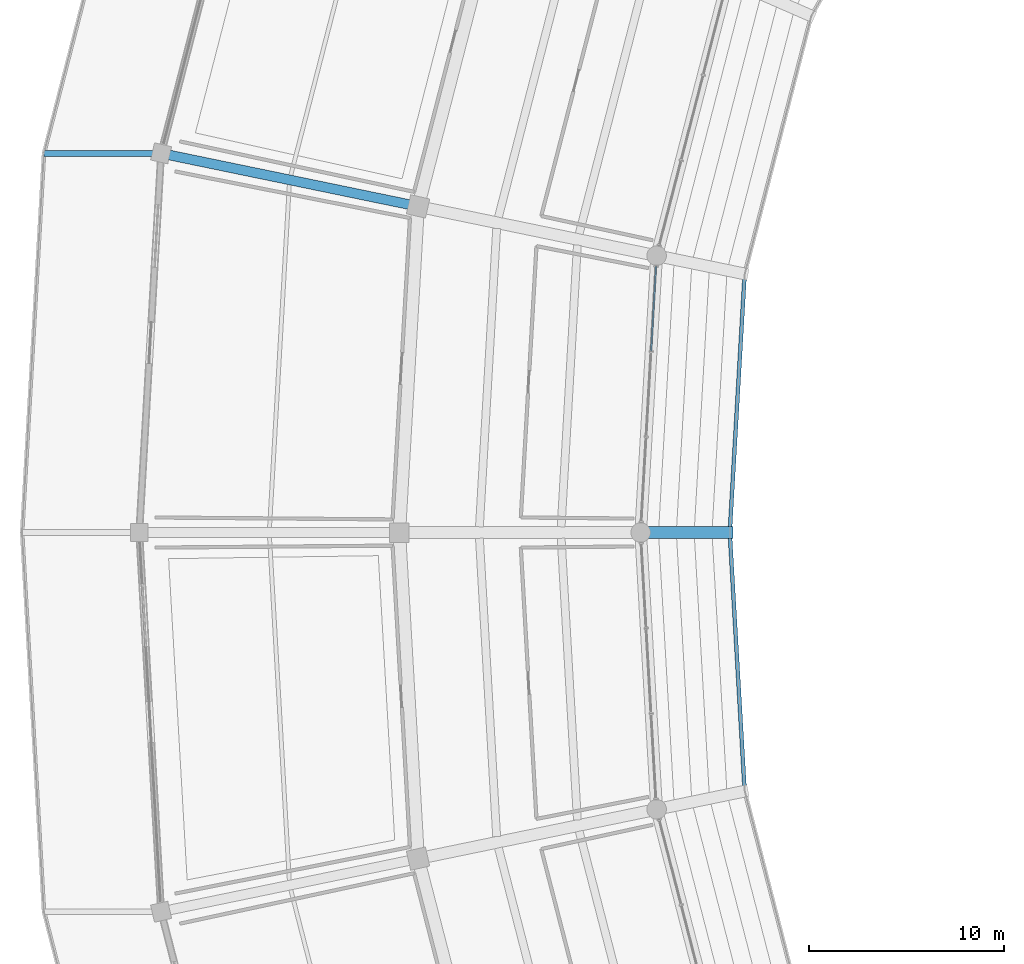
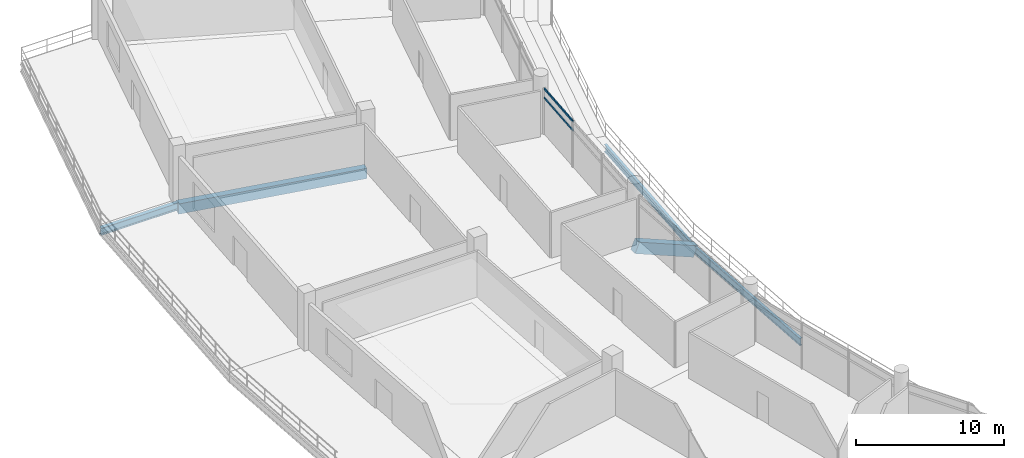
# One storey, part 40 of 171: 5 beams, 2 members, 1 element without a shape of its own.
"""IFC4 building model written with IfcOpenShell, lengths in metres."""

from ifc_helpers import new_model, si_unit, direction, frame, origin, origin_2d, place, context, subcontext, project, spatial, rectangle, hollow_rectangle, i_section, extrude, material, layer, layer_set, material_profile, profile_set, type_object, element, aggregate, save


model = new_model("IFC4")

# Units and contexts
model_context = context("Model", 3, precision=1e-05, world=origin(), true_north=direction((0.0, 1.0)))
body_context = subcontext(model_context, "Body", "Model", "MODEL_VIEW")
ifc_project = project(units=[si_unit("LENGTHUNIT", "METRE"), si_unit("AREAUNIT", "SQUARE_METRE"), si_unit("VOLUMEUNIT", "CUBIC_METRE"), si_unit("PLANEANGLEUNIT", "RADIAN"), si_unit("MASSUNIT", "GRAM", prefix="KILO")], contexts=[model_context])

# Site, building, storey
site_placement = place(None, origin())
site = spatial("IfcSite", under=ifc_project, at=site_placement, CompositionType="ELEMENT")
building_placement = place(site_placement, origin())
building = spatial("IfcBuilding", under=site, at=building_placement, Name="Kazemori Nagisa Stadium", CompositionType="ELEMENT")
storey_placement = place(building_placement, frame((0.0, 0.0, 15.639892578125)))
storey = spatial("IfcBuildingStorey", under=building, at=storey_placement, Name="L03", CompositionType="ELEMENT", Elevation=15.639892578125)

# Beams
ifc_material_1 = material(Name="Steel SN490B", Category="steel")
ifc_material_profile_1 = material_profile(ifc_material_1, i_section(OverallWidth=0.300048828125, OverallDepth=0.587890625, WebThickness=0.011962890625, FlangeThickness=0.02001953125, FilletRadius=0.012939453125, at=origin_2d()), Name="H-588x300x12x20")
ifc_profile_set_1 = profile_set([ifc_material_profile_1], Name="Steel SN490B")
beam_type_1 = type_object("IfcBeamType", Name="Beam_BG-H588", PredefinedType="BEAM", material=ifc_profile_set_1)
beam_1_placement = place(storey_placement, frame((29.119140625, 121.397705078125, -0.533935546875), z_axis=(-1.0, 0.0, 0.0), x_axis=(0.0, -1.0, 0.0)))
element("IfcBeam", 1, at=beam_1_placement, inside=storey, type_object=beam_type_1, Name="Boulevard radial girder BG-H588 L03 R4-14", PredefinedType="BEAM", context=body_context, shape_type="SweptSolid", body=[
    extrude(i_section(OverallWidth=0.300048828125, OverallDepth=0.587890625, WebThickness=0.011962890625, FlangeThickness=0.02001953125, FilletRadius=0.012939453125, at=origin_2d()), origin(), (0.0, 0.0, 1.0), 6.0),
])
ifc_material_2 = material(Name="Concrete C40/50 (Fc42)", Category="concrete")
ifc_material_profile_2 = material_profile(ifc_material_2, rectangle(XDim=0.5, YDim=0.85009765625, at=origin_2d()), Name="RC-BM-500x850")
ifc_profile_set_2 = profile_set([ifc_material_profile_2], Name="Concrete C40/50 (Fc42)")
beam_type_2 = type_object("IfcBeamType", Name="Beam_BG-RC500X850", PredefinedType="BEAM", material=ifc_profile_set_2)
beam_2_placement = place(storey_placement, frame((42.262451171875, 118.68212890625, -0.684814453125), z_axis=(-0.979315516463, 0.202339119339, 0.0), x_axis=(-0.202339119339, -0.979315516463, 0.0)))
element("IfcBeam", 2, at=beam_2_placement, inside=storey, type_object=beam_type_2, Name="Radial girder BG-RC500X850 L03 R2-R3-14", PredefinedType="BEAM", context=body_context, shape_type="SweptSolid", body=[
    extrude(rectangle(XDim=0.5, YDim=0.85009765625, at=origin_2d()), origin(), (0.0, 0.0, 1.0), 13.4208984375),
])
ifc_material_profile_3 = material_profile(ifc_material_1, i_section(OverallWidth=0.199951171875, OverallDepth=0.60009765625, WebThickness=0.010986328125, FlangeThickness=0.01708984375, FilletRadius=0.012939453125, at=origin_2d()), Name="H-600x200x11x17")
ifc_profile_set_3 = profile_set([ifc_material_profile_3], Name="Steel SN490B")
beam_type_3 = type_object("IfcBeamType", Name="Beam_BS-H600", PredefinedType="SPANDREL", material=ifc_profile_set_3)
for number, where, z_axis, x_axis, name in (
    (3, (58.973388671875, 115.229248046875, -2.46484375), (-0.057611719746, -0.998339065522, 0.0), (0.998339065522, -0.057611719746, 0.0), "Club tier front edge beam 14"),
    (4, (58.2099609375, 102.0, -2.46484375), (0.057611719746, -0.998339065522, 0.0), (0.998339065522, 0.057611719746, 0.0), "Club tier front edge beam 15"),
):
    element("IfcBeam", number, at=place(storey_placement, frame(where, z_axis=z_axis, x_axis=x_axis)), inside=storey, type_object=beam_type_3, Name=name, PredefinedType="SPANDREL", context=body_context, shape_type="SweptSolid", body=[
        extrude(i_section(OverallWidth=0.199951171875, OverallDepth=0.60009765625, WebThickness=0.010986328125, FlangeThickness=0.01708984375, FilletRadius=0.012939453125, at=origin_2d()), origin(), (0.0, 0.0, 1.0), 13.251220703125),
    ])
ifc_material_profile_4 = material_profile(ifc_material_2, rectangle(XDim=0.60009765625, YDim=0.89990234375, at=origin_2d()), Name="RC-RK-600x900")
ifc_profile_set_4 = profile_set([ifc_material_profile_4], Name="Concrete C40/50 (Fc42)")
beam_type_4 = type_object("IfcBeamType", Name="Beam_RK-RC600X900", PredefinedType="USERDEFINED", material=ifc_profile_set_4)
beam_3_placement = place(storey_placement, frame((58.2099609375, 102.0, -2.58984375), z_axis=(-0.923085695798, 0.0, 0.384594329409), x_axis=(0.0, -1.0, 0.0)))
element("IfcBeam", 5, at=beam_3_placement, inside=storey, type_object=beam_type_4, Name="Raker beam club RK2-15", ObjectType="RAKER BEAM", PredefinedType="USERDEFINED", context=body_context, shape_type="SweptSolid", body=[
    extrude(rectangle(XDim=0.60009765625, YDim=0.89990234375, at=origin_2d()), origin(), (0.0, 0.0, 1.0), 4.93994140625),
])

# Curtain wall, members
ifc_material_3 = material(Name="Anodised aluminium 6063-T5", Category="aluminium")
ifc_layer = layer(ifc_material_3, 0.2099609375, Name="Anodised aluminium 6063-T5", Category="aluminium")
ifc_layer_set = layer_set([ifc_layer], Name="Anodised aluminium 6063-T5")
curtain_wall_type = type_object("IfcCurtainWallType", Name="CW_L03B_66", PredefinedType="USERDEFINED", material=ifc_layer_set)
curtain_wall_placement = place(storey_placement, origin())
curtain_wall = element("IfcCurtainWall", 6, at=curtain_wall_placement, inside=storey, type_object=curtain_wall_type, Name="Unitised curtain wall CW-L03B-66 L03", ObjectType="UNITISED CURTAIN WALL", PredefinedType="USERDEFINED")
ifc_material_4 = material(Name="Aluminium 6063-T5 anodised", Category="aluminium")
ifc_material_profile_5 = material_profile(ifc_material_4, hollow_rectangle(XDim=0.080078125, YDim=0.159912109375, WallThickness=0.00390625, at=origin_2d()), Name="ALU-TRAN-80x160x4")
ifc_profile_set_5 = profile_set([ifc_material_profile_5], Name="Aluminium 6063-T5 anodised")
member_type = type_object("IfcMemberType", Name="Transom_T02", PredefinedType="USERDEFINED", material=ifc_profile_set_5)
member_1_placement = place(storey_placement, frame((54.43505859375, 115.606201171875, 3.010009765625), z_axis=(-0.057608419603, -0.99833925596, 0.0), x_axis=(0.99833925596, -0.057608419603, 0.0)))
member_1 = element("IfcMember", 7, at=member_1_placement, type_object=member_type, Name="Curtain wall transom CW-L03B-66-T1-mid", ObjectType="TRANSOM", PredefinedType="USERDEFINED", context=body_context, shape_type="SweptSolid", body=[
    extrude(hollow_rectangle(XDim=0.080078125, YDim=0.159912109375, WallThickness=0.00390625, at=origin_2d()), origin(), (0.0, 0.0, 1.0), 4.3310546875),
])
member_2_placement = place(storey_placement, frame((54.43505859375, 115.606201171875, 3.739990234375), z_axis=(-0.057608419603, -0.99833925596, 0.0), x_axis=(0.99833925596, -0.057608419603, 0.0)))
member_2 = element("IfcMember", 8, at=member_2_placement, type_object=member_type, Name="Curtain wall transom CW-L03B-66-T1-head", ObjectType="TRANSOM", PredefinedType="USERDEFINED", context=body_context, shape_type="SweptSolid", body=[
    extrude(hollow_rectangle(XDim=0.080078125, YDim=0.159912109375, WallThickness=0.00390625, at=origin_2d()), origin(), (0.0, 0.0, 1.0), 4.3310546875),
])
aggregate(curtain_wall, [member_1, member_2])

save(model, "model.ifc")
